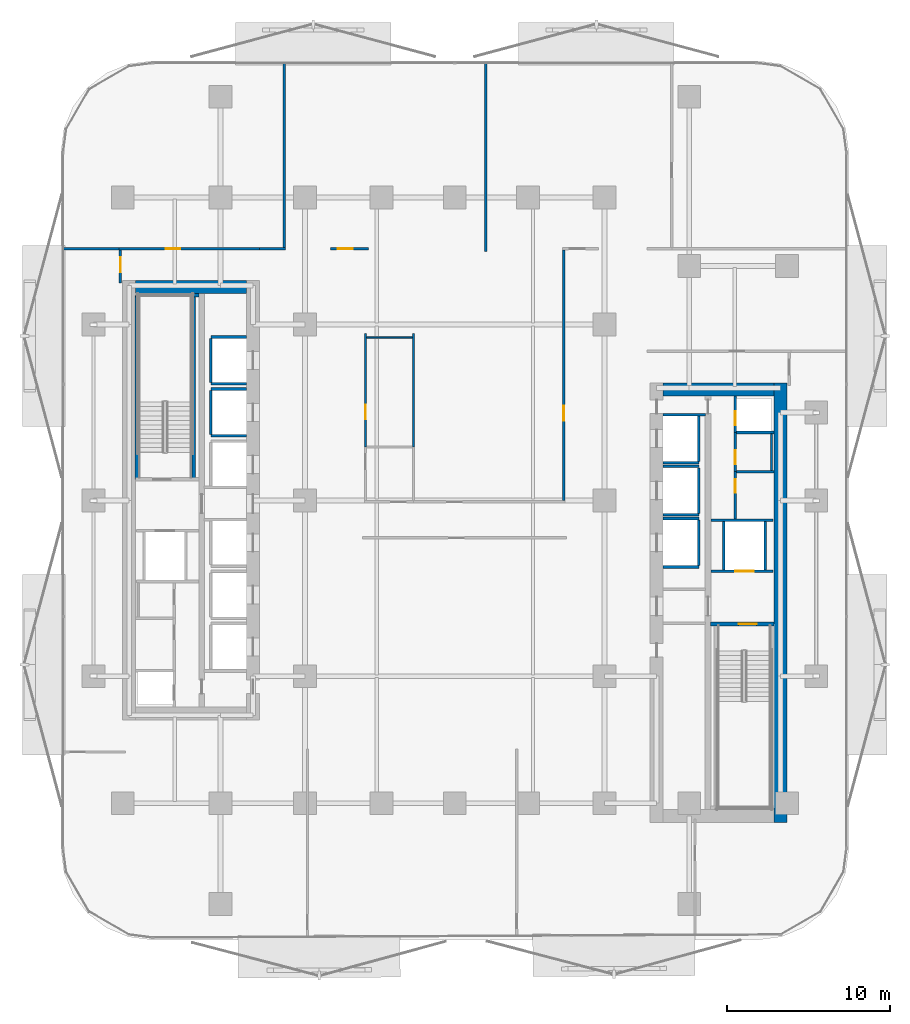
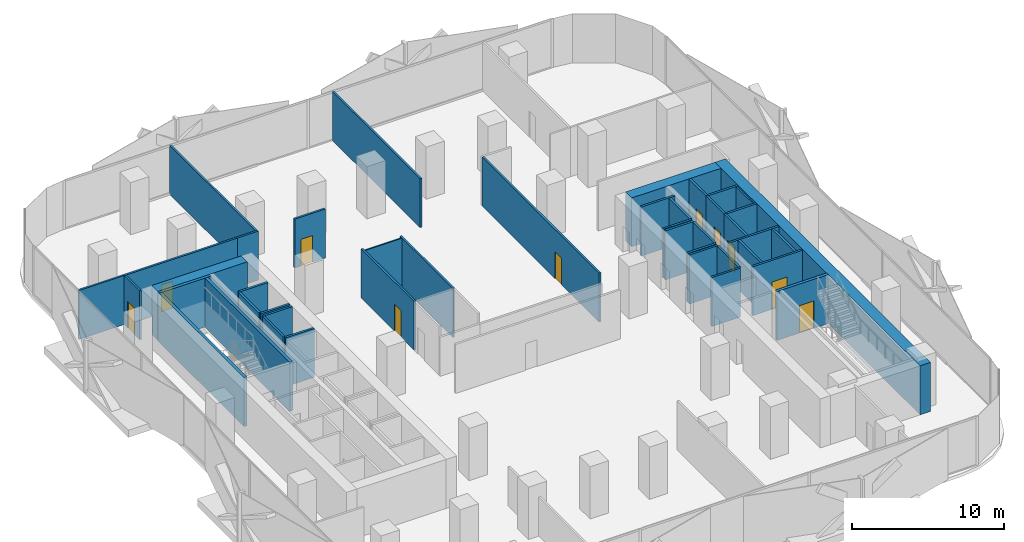
# One storey, part 5 of 16: 43 walls, 10 doors, 10 openings.
"""IFC4 building model written with IfcOpenShell, lengths in metres."""

from ifc_helpers import new_model, si_unit, direction, frame, frame_2d, origin, place, context, subcontext, project, spatial, rectangle, extrude, material, layer, layer_set, type_object, element, fill, save


model = new_model("IFC4")

# Units and contexts
model_context = context("Model", 3, precision=1e-05, world=origin(), true_north=direction((0.0, 1.0)))
body_context = subcontext(model_context, "Body", "Model", "MODEL_VIEW")
ifc_project = project(units=[si_unit("LENGTHUNIT", "METRE"), si_unit("AREAUNIT", "SQUARE_METRE"), si_unit("VOLUMEUNIT", "CUBIC_METRE"), si_unit("PLANEANGLEUNIT", "RADIAN"), si_unit("MASSUNIT", "GRAM", prefix="KILO")], contexts=[model_context])

# Site, building, storey
site_placement = place(None, origin())
site = spatial("IfcSite", under=ifc_project, at=site_placement, CompositionType="ELEMENT")
building_placement = place(site_placement, origin())
building = spatial("IfcBuilding", under=site, at=building_placement, Name="Khairoan Windgate Tower", CompositionType="ELEMENT")
storey_placement = place(building_placement, frame((0.0, 0.0, 55.39990234375)))
storey = spatial("IfcBuildingStorey", under=building, at=storey_placement, Name="L13", CompositionType="ELEMENT", Elevation=55.39990234375)

# Walls
ifc_material_1 = material(Name="Moisture-Resistant Gypsum Partition", Category="gypsum")
ifc_layer_1 = layer(ifc_material_1, 0.10009765625, Name="Moisture-Resistant Gypsum Partition")
ifc_layer_set_1 = layer_set([ifc_layer_1], Name="Moisture-Resistant Gypsum Partition")
wall_type_1 = type_object("IfcWallType", Name="Bathroom Wet-Area Partition Wall", PredefinedType="PARTITIONING", material=ifc_layer_set_1)
wall_1_placement = place(storey_placement, frame((19.449951171875, 4.090087890625, 0.0), z_axis=(0.0, 0.0, 1.0), x_axis=(0.0, -1.0, 0.0)))
element("IfcWall", 1, at=wall_1_placement, inside=storey, type_object=wall_type_1, Name="L13 Wet Room Side Wall 039", PredefinedType="PARTITIONING", context=body_context, shape_type="SweptSolid", body=[
    extrude(rectangle(XDim=2.239990234375, YDim=0.10009765625, at=frame_2d((1.1201171875, 0.0))), origin(), (0.0, 0.0, 1.0), 3.940185546875),
])
wall_2_placement = place(storey_placement, frame((-5.409912109375, 10.0, 0.0), z_axis=(0.0, 0.0, 1.0), x_axis=(1.0, 0.0, 0.0)))
element("IfcWall", 2, at=wall_2_placement, inside=storey, type_object=wall_type_1, Name="L13 Wet Room Side Wall 040", PredefinedType="PARTITIONING", context=body_context, shape_type="SweptSolid", body=[
    extrude(rectangle(XDim=2.7998046875, YDim=0.10009765625, at=frame_2d((1.39990234375, 0.0))), origin(), (0.0, 0.0, 1.0), 3.940185546875),
])
ifc_material_2 = material(Name="Concrete C40/50", Category="concrete")
ifc_layer_2 = layer(ifc_material_2, 0.159912109375, Name="Concrete C40/50")
ifc_layer_set_2 = layer_set([ifc_layer_2], Name="Concrete C40/50")
wall_type_2 = type_object("IfcWallType", Name="Core and Hoistway Enclosure Wall", PredefinedType="STANDARD", material=ifc_layer_set_2)
for number, where, z_axis, x_axis, name in (
    (3, (-14.989990234375, 7.159912109375, 0.0), (0.0, 0.0, 1.0), (1.0, 0.0, 0.0), "L13 Lift PL1 Hoistway Divider S"),
    (4, (-14.989990234375, 10.0400390625, 0.0), (0.0, 0.0, 1.0), (1.0, 0.0, 0.0), "L13 Lift PL1 Hoistway Divider N"),
):
    element("IfcWall", number, at=place(storey_placement, frame(where, z_axis=z_axis, x_axis=x_axis)), inside=storey, type_object=wall_type_2, Name=name, PredefinedType="STANDARD", context=body_context, shape_type="SweptSolid", body=[
        extrude(rectangle(XDim=2.18994140625, YDim=0.159912109375, at=frame_2d((1.094970703125, 0.0))), origin(), (0.0, 0.0, 1.0), 3.940185546875),
    ])
wall_3_placement = place(storey_placement, frame((-14.989990234375, 7.25, 0.0), z_axis=(0.0, 0.0, 1.0), x_axis=(0.0, 1.0, 0.0)))
element("IfcWall", 5, at=wall_3_placement, inside=storey, type_object=wall_type_2, Name="L13 Lift PL1 Hoistway Back Wall", PredefinedType="STANDARD", context=body_context, shape_type="SweptSolid", body=[
    extrude(rectangle(XDim=2.699951171875, YDim=0.159912109375, at=frame_2d((1.35009765625, 0.0))), origin(), (0.0, 0.0, 1.0), 3.940185546875),
])
for number, where, z_axis, x_axis, name in (
    (6, (-14.989990234375, 3.9599609375, 0.0), (0.0, 0.0, 1.0), (1.0, 0.0, 0.0), "L13 Lift PL2 Hoistway Divider S"),
    (7, (-14.989990234375, 6.840087890625, 0.0), (0.0, 0.0, 1.0), (1.0, 0.0, 0.0), "L13 Lift PL2 Hoistway Divider N"),
):
    element("IfcWall", number, at=place(storey_placement, frame(where, z_axis=z_axis, x_axis=x_axis)), inside=storey, type_object=wall_type_2, Name=name, PredefinedType="STANDARD", context=body_context, shape_type="SweptSolid", body=[
        extrude(rectangle(XDim=2.18994140625, YDim=0.159912109375, at=frame_2d((1.094970703125, 0.0))), origin(), (0.0, 0.0, 1.0), 3.940185546875),
    ])
wall_4_placement = place(storey_placement, frame((-14.989990234375, 4.050048828125, 0.0), z_axis=(0.0, 0.0, 1.0), x_axis=(0.0, 1.0, 0.0)))
element("IfcWall", 8, at=wall_4_placement, inside=storey, type_object=wall_type_2, Name="L13 Lift PL2 Hoistway Back Wall", PredefinedType="STANDARD", context=body_context, shape_type="SweptSolid", body=[
    extrude(rectangle(XDim=2.699951171875, YDim=0.159912109375, at=frame_2d((1.35009765625, 0.0))), origin(), (0.0, 0.0, 1.0), 3.940185546875),
])
wall_5_placement = place(storey_placement, frame((12.800048828125, 2.31005859375, 0.0), z_axis=(0.0, 0.0, 1.0), x_axis=(1.0, 0.0, 0.0)))
element("IfcWall", 9, at=wall_5_placement, inside=storey, type_object=wall_type_2, Name="L13 Lift PL7 Hoistway Divider S", PredefinedType="STANDARD", context=body_context, shape_type="SweptSolid", body=[
    extrude(rectangle(XDim=2.18994140625, YDim=0.159912109375, at=frame_2d((1.094970703125, 0.0))), origin(), (0.0, 0.0, 1.0), 3.940185546875),
])
wall_6_placement = place(storey_placement, frame((14.989990234375, 2.39990234375, 0.0), z_axis=(0.0, 0.0, 1.0), x_axis=(0.0, 1.0, 0.0)))
element("IfcWall", 10, at=wall_6_placement, inside=storey, type_object=wall_type_2, Name="L13 Lift PL7 Hoistway Back Wall", PredefinedType="STANDARD", context=body_context, shape_type="SweptSolid", body=[
    extrude(rectangle(XDim=2.800048828125, YDim=0.159912109375, at=frame_2d((1.39990234375, 0.0))), origin(), (0.0, 0.0, 1.0), 3.940185546875),
])
for number, where, z_axis, x_axis, name in (
    (11, (12.800048828125, -0.889892578125, 0.0), (0.0, 0.0, 1.0), (1.0, 0.0, 0.0), "L13 Lift PL8 Hoistway Divider S"),
    (12, (12.800048828125, 2.090087890625, 0.0), (0.0, 0.0, 1.0), (1.0, 0.0, 0.0), "L13 Lift PL8 Hoistway Divider N"),
):
    element("IfcWall", number, at=place(storey_placement, frame(where, z_axis=z_axis, x_axis=x_axis)), inside=storey, type_object=wall_type_2, Name=name, PredefinedType="STANDARD", context=body_context, shape_type="SweptSolid", body=[
        extrude(rectangle(XDim=2.18994140625, YDim=0.159912109375, at=frame_2d((1.094970703125, 0.0))), origin(), (0.0, 0.0, 1.0), 3.940185546875),
    ])
wall_7_placement = place(storey_placement, frame((14.989990234375, -0.800048828125, 0.0), z_axis=(0.0, 0.0, 1.0), x_axis=(0.0, 1.0, 0.0)))
element("IfcWall", 13, at=wall_7_placement, inside=storey, type_object=wall_type_2, Name="L13 Lift PL8 Hoistway Back Wall", PredefinedType="STANDARD", context=body_context, shape_type="SweptSolid", body=[
    extrude(rectangle(XDim=2.800048828125, YDim=0.159912109375, at=frame_2d((1.39990234375, 0.0))), origin(), (0.0, 0.0, 1.0), 3.940185546875),
])
for number, where, z_axis, x_axis, name in (
    (14, (12.800048828125, -4.090087890625, 0.0), (0.0, 0.0, 1.0), (1.0, 0.0, 0.0), "L13 Lift PL9 Hoistway Divider S"),
    (15, (12.800048828125, -1.110107421875, 0.0), (0.0, 0.0, 1.0), (1.0, 0.0, 0.0), "L13 Lift PL9 Hoistway Divider N"),
):
    element("IfcWall", number, at=place(storey_placement, frame(where, z_axis=z_axis, x_axis=x_axis)), inside=storey, type_object=wall_type_2, Name=name, PredefinedType="STANDARD", context=body_context, shape_type="SweptSolid", body=[
        extrude(rectangle(XDim=2.18994140625, YDim=0.159912109375, at=frame_2d((1.094970703125, 0.0))), origin(), (0.0, 0.0, 1.0), 3.940185546875),
    ])
wall_8_placement = place(storey_placement, frame((14.989990234375, -4.0, 0.0), z_axis=(0.0, 0.0, 1.0), x_axis=(0.0, 1.0, 0.0)))
element("IfcWall", 16, at=wall_8_placement, inside=storey, type_object=wall_type_2, Name="L13 Lift PL9 Hoistway Back Wall", PredefinedType="STANDARD", context=body_context, shape_type="SweptSolid", body=[
    extrude(rectangle(XDim=2.800048828125, YDim=0.159912109375, at=frame_2d((1.39990234375, 0.0))), origin(), (0.0, 0.0, 1.0), 3.940185546875),
])

# Wall, opening, door
wall_9_placement = place(storey_placement, frame((15.75, -4.360107421875, 0.0), z_axis=(0.0, 0.0, 1.0), x_axis=(1.0, 0.0, 0.0)))
wall_9 = element("IfcWall", 17, at=wall_9_placement, inside=storey, type_object=wall_type_2, Name="L13 Core Shaft Wall SW-FL1-L13", PredefinedType="STANDARD", context=body_context, shape_type="SweptSolid", body=[
    extrude(rectangle(XDim=3.800048828125, YDim=0.159912109375, at=frame_2d((1.89990234375, 0.0))), origin(), (0.0, 0.0, 1.0), 3.940185546875),
])
opening_1_placement = place(wall_9_placement, frame((1.469970703125, 0.0, 0.0)))
opening_1 = element("IfcOpeningElement", 18, at=opening_1_placement, cuts=wall_9, Name="Opening LD-FL", PredefinedType="OPENING", context=body_context, shape_type="SweptSolid", body=[
    extrude(rectangle(XDim=1.14990234375, YDim=2.199951171875, at=frame_2d((0.574951171875, 1.10009765625))), frame((0.0, 0.08984375, 0.0), z_axis=(0.0, -1.0, 0.0), x_axis=(1.0, 0.0, 0.0)), (0.0, 0.0, 1.0), 0.179931640625),
])
ifc_material_3 = material(Name="Steel S355", Category="steel")
door_type_1 = type_object("IfcDoorType", Name="Firefighting Lift Sliding Landing Door LD-FL 1150x2200", OperationType="DOUBLE_DOOR_SLIDING", PredefinedType="DOOR", material=ifc_material_3)
door_1_placement = place(opening_1_placement, origin())
door_1 = element("IfcDoor", 19, at=door_1_placement, inside=storey, type_object=door_type_1, Name="L13 Firefighting Lift FL1 Landing Door", OperationType="DOUBLE_DOOR_SLIDING", OverallHeight=2.199951171875, OverallWidth=1.14990234375, PredefinedType="DOOR", context=body_context, shape_type="SweptSolid", body=[
    extrude(rectangle(XDim=1.14990234375, YDim=2.199951171875, at=frame_2d((0.574951171875, 1.10009765625))), frame((0.0, 0.02490234375, 0.0), z_axis=(0.0, -1.0, 0.0), x_axis=(1.0, 0.0, 0.0)), (0.0, 0.0, 1.0), 0.050048828125),
])
fill(opening_1, door_1)

# Walls
wall_10_placement = place(storey_placement, frame((15.75, -1.219970703125, 0.0), z_axis=(0.0, 0.0, 1.0), x_axis=(1.0, 0.0, 0.0)))
element("IfcWall", 20, at=wall_10_placement, inside=storey, type_object=wall_type_2, Name="L13 Core Shaft Wall SW-FL1T-L13", PredefinedType="STANDARD", context=body_context, shape_type="SweptSolid", body=[
    extrude(rectangle(XDim=3.800048828125, YDim=0.159912109375, at=frame_2d((1.89990234375, 0.0))), origin(), (0.0, 0.0, 1.0), 3.940185546875),
])
for number, where, z_axis, x_axis, name in (
    (21, (16.52001953125, -4.280029296875, 0.0), (0.0, 0.0, 1.0), (0.0, 1.0, 0.0), "L13 Core Shaft Wall SW-FL1W-L13"),
    (22, (19.080078125, -4.280029296875, 0.0), (0.0, 0.0, 1.0), (0.0, 1.0, 0.0), "L13 Core Shaft Wall SW-FL1E-L13"),
):
    element("IfcWall", number, at=place(storey_placement, frame(where, z_axis=z_axis, x_axis=x_axis)), inside=storey, type_object=wall_type_2, Name=name, PredefinedType="STANDARD", context=body_context, shape_type="SweptSolid", body=[
        extrude(rectangle(XDim=2.97998046875, YDim=0.159912109375, at=frame_2d((1.489990234375, 0.0))), origin(), (0.0, 0.0, 1.0), 3.940185546875),
    ])
wall_11_placement = place(storey_placement, frame((12.800048828125, 5.25, 0.0), z_axis=(0.0, 0.0, 1.0), x_axis=(1.0, 0.0, 0.0)))
element("IfcWall", 23, at=wall_11_placement, inside=storey, type_object=wall_type_2, Name="L13 Core Shaft Wall SW-ESV-L13", PredefinedType="STANDARD", context=body_context, shape_type="SweptSolid", body=[
    extrude(rectangle(XDim=2.599853515625, YDim=0.159912109375, at=frame_2d((1.2998046875, 0.0))), origin(), (0.0, 0.0, 1.0), 3.940185546875),
])
ifc_material_4 = material(Name="Acoustic Fire-Rated Gypsum Partition", Category="gypsum")
ifc_layer_3 = layer(ifc_material_4, 0.139892578125, Name="Acoustic Fire-Rated Gypsum Partition")
ifc_layer_set_3 = layer_set([ifc_layer_3], Name="Acoustic Fire-Rated Gypsum Partition")
wall_type_3 = type_object("IfcWallType", Name="Inter-Tenancy Compartment Wall", PredefinedType="PARTITIONING", material=ifc_layer_set_3)
wall_12_placement = place(storey_placement, frame((-24.054931640625, 15.4599609375, 0.0), z_axis=(0.0, 0.0, 1.0), x_axis=(1.0, 0.0, 0.0)))
element("IfcWall", 24, at=wall_12_placement, inside=storey, type_object=wall_type_3, Name="L13 Interior Partition 024", PredefinedType="PARTITIONING", context=body_context, shape_type="SweptSolid", body=[
    extrude(rectangle(XDim=3.4150390625, YDim=0.139892578125, at=frame_2d((1.70751953125, 0.0))), origin(), (0.0, 0.0, 1.0), 3.940185546875),
])
wall_13_placement = place(storey_placement, frame((-10.471923828125, 15.534912109375, 0.0), z_axis=(0.0, 0.0, 1.0), x_axis=(0.0, 1.0, 0.0)))
element("IfcWall", 25, at=wall_13_placement, inside=storey, type_object=wall_type_3, Name="L13 Interior Partition 029", PredefinedType="PARTITIONING", context=body_context, shape_type="SweptSolid", body=[
    extrude(rectangle(XDim=11.320068359375, YDim=0.139892578125, at=frame_2d((5.66015625, 0.0))), origin(), (0.0, 0.0, 1.0), 3.940185546875),
])
wall_14_placement = place(storey_placement, frame((1.904052734375, 15.280029296875, 0.0), z_axis=(0.0, 0.0, 1.0), x_axis=(0.0, 1.0, 0.0)))
element("IfcWall", 26, at=wall_14_placement, inside=storey, type_object=wall_type_3, Name="L13 Interior Partition 030", PredefinedType="PARTITIONING", context=body_context, shape_type="SweptSolid", body=[
    extrude(rectangle(XDim=11.574951171875, YDim=0.139892578125, at=frame_2d((5.78759765625, 0.0))), origin(), (0.0, 0.0, 1.0), 3.940185546875),
])
wall_15_placement = place(storey_placement, frame((-2.5400390625, 3.280029296875, 0.0), z_axis=(0.0, 0.0, 1.0), x_axis=(0.0, 1.0, 0.0)))
element("IfcWall", 27, at=wall_15_placement, inside=storey, type_object=wall_type_3, Name="L13 Interior Partition 037", PredefinedType="PARTITIONING", context=body_context, shape_type="SweptSolid", body=[
    extrude(rectangle(XDim=6.9599609375, YDim=0.139892578125, at=frame_2d((3.47998046875, 0.0))), origin(), (0.0, 0.0, 1.0), 3.940185546875),
])

# Wall, opening, door
ifc_material_5 = material(Name="Concrete C40/50", Category="concrete")
ifc_layer_4 = layer(ifc_material_5, 0.159912109375, Name="Concrete C40/50")
ifc_layer_set_4 = layer_set([ifc_layer_4], Name="Concrete C40/50")
wall_type_4 = type_object("IfcWallType", Name="Plant and Refuge Compartment Wall", PredefinedType="PARTITIONING", material=ifc_layer_set_4)
wall_16_placement = place(storey_placement, frame((17.22998046875, 4.169921875, 0.0), z_axis=(0.0, 0.0, 1.0), x_axis=(0.0, 1.0, 0.0)))
wall_16 = element("IfcWall", 28, at=wall_16_placement, inside=storey, type_object=wall_type_4, Name="L13 Interior Partition 006", PredefinedType="PARTITIONING", context=body_context, shape_type="SweptSolid", body=[
    extrude(rectangle(XDim=2.22998046875, YDim=0.159912109375, at=frame_2d((1.114990234375, 0.0))), origin(), (0.0, 0.0, 1.0), 3.940185546875),
])
opening_2_placement = place(wall_16_placement, frame((0.4599609375, 0.0, 0.0)))
opening_2 = element("IfcOpeningElement", 29, at=opening_2_placement, cuts=wall_16, Name="Opening FD-SRV", PredefinedType="OPENING", context=body_context, shape_type="SweptSolid", body=[
    extrude(rectangle(XDim=0.85009765625, YDim=2.10009765625, at=frame_2d((0.425048828125, 1.050048828125))), frame((0.0, 0.08984375, 0.0), z_axis=(0.0, -1.0, 0.0), x_axis=(1.0, 0.0, 0.0)), (0.0, 0.0, 1.0), 0.179931640625),
])
ifc_material_6 = material(Name="Steel S355", Category="steel")
door_type_2 = type_object("IfcDoorType", Name="Core Service and Riser Fire Door FD-SRV 850x2100", OperationType="NOTDEFINED", PredefinedType="DOOR", material=ifc_material_6)
door_2_placement = place(opening_2_placement, origin())
door_2 = element("IfcDoor", 30, at=door_2_placement, inside=storey, type_object=door_type_2, Name="L13 L13-19-L13-20 Door", OperationType="SINGLE_SWING_LEFT", OverallHeight=2.10009765625, OverallWidth=0.85009765625, PredefinedType="DOOR", context=body_context, shape_type="SweptSolid", body=[
    extrude(rectangle(XDim=0.85009765625, YDim=2.10009765625, at=frame_2d((0.425048828125, 1.050048828125))), frame((0.0, 0.02490234375, 0.0), z_axis=(0.0, -1.0, 0.0), x_axis=(1.0, 0.0, 0.0)), (0.0, 0.0, 1.0), 0.050048828125),
])
fill(opening_2, door_2)

wall_17_placement = place(storey_placement, frame((17.22998046875, 1.77001953125, 0.0), z_axis=(0.0, 0.0, 1.0), x_axis=(0.0, 1.0, 0.0)))
wall_17 = element("IfcWall", 31, at=wall_17_placement, inside=storey, type_object=wall_type_4, Name="L13 Interior Partition 007", PredefinedType="PARTITIONING", context=body_context, shape_type="SweptSolid", body=[
    extrude(rectangle(XDim=2.39990234375, YDim=0.159912109375, at=frame_2d((1.199951171875, 0.0))), origin(), (0.0, 0.0, 1.0), 3.940185546875),
])
opening_3_placement = place(wall_17_placement, frame((0.4599609375, 0.0, 0.0)))
opening_3 = element("IfcOpeningElement", 32, at=opening_3_placement, cuts=wall_17, Name="Opening FD-SRV", PredefinedType="OPENING", context=body_context, shape_type="SweptSolid", body=[
    extrude(rectangle(XDim=0.85009765625, YDim=2.10009765625, at=frame_2d((0.425048828125, 1.050048828125))), frame((0.0, 0.08984375, 0.0), z_axis=(0.0, -1.0, 0.0), x_axis=(1.0, 0.0, 0.0)), (0.0, 0.0, 1.0), 0.179931640625),
])
door_3_placement = place(opening_3_placement, origin())
door_3 = element("IfcDoor", 33, at=door_3_placement, inside=storey, type_object=door_type_2, Name="L13 L13-19-L13-21 Door", OperationType="SINGLE_SWING_RIGHT", OverallHeight=2.10009765625, OverallWidth=0.85009765625, PredefinedType="DOOR", context=body_context, shape_type="SweptSolid", body=[
    extrude(rectangle(XDim=0.85009765625, YDim=2.10009765625, at=frame_2d((0.425048828125, 1.050048828125))), frame((0.0, 0.02490234375, 0.0), z_axis=(0.0, -1.0, 0.0), x_axis=(1.0, 0.0, 0.0)), (0.0, 0.0, 1.0), 0.050048828125),
])
fill(opening_3, door_3)

wall_18_placement = place(storey_placement, frame((17.22998046875, -1.139892578125, 0.0), z_axis=(0.0, 0.0, 1.0), x_axis=(0.0, 1.0, 0.0)))
wall_18 = element("IfcWall", 34, at=wall_18_placement, inside=storey, type_object=wall_type_4, Name="L13 Interior Partition 008", PredefinedType="PARTITIONING", context=body_context, shape_type="SweptSolid", body=[
    extrude(rectangle(XDim=2.909912109375, YDim=0.159912109375, at=frame_2d((1.455078125, 0.0))), origin(), (0.0, 0.0, 1.0), 3.940185546875),
])
opening_4_placement = place(wall_18_placement, frame((1.60009765625, 0.0, 0.0)))
opening_4 = element("IfcOpeningElement", 35, at=opening_4_placement, cuts=wall_18, Name="Opening FD-SRV", PredefinedType="OPENING", context=body_context, shape_type="SweptSolid", body=[
    extrude(rectangle(XDim=0.85009765625, YDim=2.10009765625, at=frame_2d((0.425048828125, 1.050048828125))), frame((0.0, 0.08984375, 0.0), z_axis=(0.0, -1.0, 0.0), x_axis=(1.0, 0.0, 0.0)), (0.0, 0.0, 1.0), 0.179931640625),
])
door_4_placement = place(opening_4_placement, origin())
door_4 = element("IfcDoor", 36, at=door_4_placement, inside=storey, type_object=door_type_2, Name="L13 L13-19-L13-22 Door", OperationType="SINGLE_SWING_LEFT", OverallHeight=2.10009765625, OverallWidth=0.85009765625, PredefinedType="DOOR", context=body_context, shape_type="SweptSolid", body=[
    extrude(rectangle(XDim=0.85009765625, YDim=2.10009765625, at=frame_2d((0.425048828125, 1.050048828125))), frame((0.0, 0.02490234375, 0.0), z_axis=(0.0, -1.0, 0.0), x_axis=(1.0, 0.0, 0.0)), (0.0, 0.0, 1.0), 0.050048828125),
])
fill(opening_4, door_4)

# Walls
for number, where, z_axis, x_axis, name in (
    (37, (17.31005859375, 4.169921875, 0.0), (0.0, 0.0, 1.0), (1.0, 0.0, 0.0), "L13 Interior Partition 009"),
    (38, (17.31005859375, 1.77001953125, 0.0), (0.0, 0.0, 1.0), (1.0, 0.0, 0.0), "L13 Interior Partition 010"),
):
    element("IfcWall", number, at=place(storey_placement, frame(where, z_axis=z_axis, x_axis=x_axis)), inside=storey, type_object=wall_type_4, Name=name, PredefinedType="PARTITIONING", context=body_context, shape_type="SweptSolid", body=[
        extrude(rectangle(XDim=2.2900390625, YDim=0.159912109375, at=frame_2d((1.14501953125, 0.0))), origin(), (0.0, 0.0, 1.0), 3.940185546875),
    ])
ifc_material_7 = material(Name="Acoustic Fire-Rated Gypsum Partition", Category="gypsum")
ifc_layer_5 = layer(ifc_material_7, 0.14990234375, Name="Acoustic Fire-Rated Gypsum Partition")
ifc_layer_set_5 = layer_set([ifc_layer_5], Name="Acoustic Fire-Rated Gypsum Partition")
wall_type_5 = type_object("IfcWallType", Name="Rated Corridor Partition Wall", PredefinedType="PARTITIONING", material=ifc_layer_set_5)
wall_19_placement = place(storey_placement, frame((-11.989990234375, 15.4599609375, 0.0), z_axis=(0.0, 0.0, 1.0), x_axis=(1.0, 0.0, 0.0)))
element("IfcWall", 39, at=wall_19_placement, inside=storey, type_object=wall_type_5, Name="L13 Interior Partition 011", PredefinedType="PARTITIONING", context=body_context, shape_type="SweptSolid", body=[
    extrude(rectangle(XDim=1.587890625, YDim=0.14990234375, at=frame_2d((0.7939453125, 0.0))), origin(), (0.0, 0.0, 1.0), 3.940185546875),
])

# Wall, opening, door
wall_20_placement = place(storey_placement, frame((-7.639892578125, 15.4599609375, 0.0), z_axis=(0.0, 0.0, 1.0), x_axis=(1.0, 0.0, 0.0)))
wall_20 = element("IfcWall", 40, at=wall_20_placement, inside=storey, type_object=wall_type_5, Name="L13 Interior Partition 015", PredefinedType="PARTITIONING", context=body_context, shape_type="SweptSolid", body=[
    extrude(rectangle(XDim=2.329833984375, YDim=0.14990234375, at=frame_2d((1.1650390625, 0.0))), origin(), (0.0, 0.0, 1.0), 3.940185546875),
])
opening_5_placement = place(wall_20_placement, frame((0.4599609375, 0.0, 0.0)))
opening_5 = element("IfcOpeningElement", 41, at=opening_5_placement, cuts=wall_20, Name="Opening FD-ENT", PredefinedType="OPENING", context=body_context, shape_type="SweptSolid", body=[
    extrude(rectangle(XDim=0.89990234375, YDim=2.14990234375, at=frame_2d((0.449951171875, 1.074951171875))), frame((0.0, 0.0849609375, 0.0), z_axis=(0.0, -1.0, 0.0), x_axis=(1.0, 0.0, 0.0)), (0.0, 0.0, 1.0), 0.169921875),
])
ifc_material_8 = material(Name="Timber Fire-Rated Core", Category="wood")
door_type_3 = type_object("IfcDoorType", Name="Unit and Office Fire Entrance Door FD-ENT 900x2150", OperationType="NOTDEFINED", PredefinedType="DOOR", material=ifc_material_8)
door_5_placement = place(opening_5_placement, origin())
door_5 = element("IfcDoor", 42, at=door_5_placement, inside=storey, type_object=door_type_3, Name="L13 L13-32-L13-40 Door", OperationType="SINGLE_SWING_RIGHT", OverallHeight=2.14990234375, OverallWidth=0.89990234375, PredefinedType="DOOR", context=body_context, shape_type="SweptSolid", body=[
    extrude(rectangle(XDim=0.89990234375, YDim=2.14990234375, at=frame_2d((0.449951171875, 1.074951171875))), frame((0.0, 0.02490234375, 0.0), z_axis=(0.0, -1.0, 0.0), x_axis=(1.0, 0.0, 0.0)), (0.0, 0.0, 1.0), 0.050048828125),
])
fill(opening_5, door_5)

wall_21_placement = place(storey_placement, frame((-5.485107421875, 3.280029296875, 0.0), z_axis=(0.0, 0.0, 1.0), x_axis=(0.0, 1.0, 0.0)))
wall_21 = element("IfcWall", 43, at=wall_21_placement, inside=storey, type_object=wall_type_5, Name="L13 Interior Partition 017", PredefinedType="PARTITIONING", context=body_context, shape_type="SweptSolid", body=[
    extrude(rectangle(XDim=6.9599609375, YDim=0.14990234375, at=frame_2d((3.47998046875, 0.0))), origin(), (0.0, 0.0, 1.0), 3.940185546875),
])
opening_6_placement = place(wall_21_placement, frame((1.693603515625, 0.0, 0.0)))
opening_6 = element("IfcOpeningElement", 44, at=opening_6_placement, cuts=wall_21, Name="Opening FD-ENT", PredefinedType="OPENING", context=body_context, shape_type="SweptSolid", body=[
    extrude(rectangle(XDim=0.89990234375, YDim=2.14990234375, at=frame_2d((0.449951171875, 1.074951171875))), frame((0.0, 0.0849609375, 0.0), z_axis=(0.0, -1.0, 0.0), x_axis=(1.0, 0.0, 0.0)), (0.0, 0.0, 1.0), 0.169921875),
])
door_6_placement = place(opening_6_placement, origin())
door_6 = element("IfcDoor", 45, at=door_6_placement, inside=storey, type_object=door_type_3, Name="L13 L13-32-L13-48 Door", OperationType="SINGLE_SWING_RIGHT", OverallHeight=2.14990234375, OverallWidth=0.89990234375, PredefinedType="DOOR", context=body_context, shape_type="SweptSolid", body=[
    extrude(rectangle(XDim=0.89990234375, YDim=2.14990234375, at=frame_2d((0.449951171875, 1.074951171875))), frame((0.0, 0.02490234375, 0.0), z_axis=(0.0, -1.0, 0.0), x_axis=(1.0, 0.0, 0.0)), (0.0, 0.0, 1.0), 0.050048828125),
])
fill(opening_6, door_6)

wall_22_placement = place(storey_placement, frame((6.68505859375, -0.02001953125, 0.0), z_axis=(0.0, 0.0, 1.0), x_axis=(0.0, 1.0, 0.0)))
wall_22 = element("IfcWall", 46, at=wall_22_placement, inside=storey, type_object=wall_type_5, Name="L13 Interior Partition 019", PredefinedType="PARTITIONING", context=body_context, shape_type="SweptSolid", body=[
    extrude(rectangle(XDim=15.405029296875, YDim=0.14990234375, at=frame_2d((7.70263671875, 0.0))), origin(), (0.0, 0.0, 1.0), 3.940185546875),
])
opening_7_placement = place(wall_22_placement, frame((4.920654296875, 0.0, 0.0)))
opening_7 = element("IfcOpeningElement", 47, at=opening_7_placement, cuts=wall_22, Name="Opening FD-ENT", PredefinedType="OPENING", context=body_context, shape_type="SweptSolid", body=[
    extrude(rectangle(XDim=0.89990234375, YDim=2.14990234375, at=frame_2d((0.449951171875, 1.074951171875))), frame((0.0, 0.0849609375, 0.0), z_axis=(0.0, -1.0, 0.0), x_axis=(1.0, 0.0, 0.0)), (0.0, 0.0, 1.0), 0.169921875),
])
door_7_placement = place(opening_7_placement, origin())
door_7 = element("IfcDoor", 48, at=door_7_placement, inside=storey, type_object=door_type_3, Name="L13 L13-33-L13-49 Door", OperationType="SINGLE_SWING_RIGHT", OverallHeight=2.14990234375, OverallWidth=0.89990234375, PredefinedType="DOOR", context=body_context, shape_type="SweptSolid", body=[
    extrude(rectangle(XDim=0.89990234375, YDim=2.14990234375, at=frame_2d((0.449951171875, 1.074951171875))), frame((0.0, 0.02490234375, 0.0), z_axis=(0.0, -1.0, 0.0), x_axis=(1.0, 0.0, 0.0)), (0.0, 0.0, 1.0), 0.050048828125),
])
fill(opening_7, door_7)

wall_23_placement = place(storey_placement, frame((-20.5400390625, 13.360107421875, 0.0), z_axis=(0.0, 0.0, 1.0), x_axis=(0.0, 1.0, 0.0)))
wall_23 = element("IfcWall", 49, at=wall_23_placement, inside=storey, type_object=wall_type_5, Name="L13 Interior Partition 020", PredefinedType="PARTITIONING", context=body_context, shape_type="SweptSolid", body=[
    extrude(rectangle(XDim=2.02490234375, YDim=0.14990234375, at=frame_2d((1.012451171875, 0.0))), origin(), (0.0, 0.0, 1.0), 3.940185546875),
])
opening_8_placement = place(wall_23_placement, frame((0.6650390625, 0.0, 0.0)))
opening_8 = element("IfcOpeningElement", 50, at=opening_8_placement, cuts=wall_23, Name="Opening FD-ENT", PredefinedType="OPENING", context=body_context, shape_type="SweptSolid", body=[
    extrude(rectangle(XDim=0.89990234375, YDim=2.14990234375, at=frame_2d((0.449951171875, 1.074951171875))), frame((0.0, 0.0849609375, 0.0), z_axis=(0.0, -1.0, 0.0), x_axis=(1.0, 0.0, 0.0)), (0.0, 0.0, 1.0), 0.169921875),
])
door_8_placement = place(opening_8_placement, origin())
door_8 = element("IfcDoor", 51, at=door_8_placement, inside=storey, type_object=door_type_3, Name="L13 L13-34-L13-36 Door", OperationType="SINGLE_SWING_LEFT", OverallHeight=2.14990234375, OverallWidth=0.89990234375, PredefinedType="DOOR", context=body_context, shape_type="SweptSolid", body=[
    extrude(rectangle(XDim=0.89990234375, YDim=2.14990234375, at=frame_2d((0.449951171875, 1.074951171875))), frame((0.0, 0.02490234375, 0.0), z_axis=(0.0, -1.0, 0.0), x_axis=(1.0, 0.0, 0.0)), (0.0, 0.0, 1.0), 0.050048828125),
])
fill(opening_8, door_8)

wall_24_placement = place(storey_placement, frame((-20.639892578125, 15.4599609375, 0.0), z_axis=(0.0, 0.0, 1.0), x_axis=(1.0, 0.0, 0.0)))
wall_24 = element("IfcWall", 52, at=wall_24_placement, inside=storey, type_object=wall_type_5, Name="L13 Interior Partition 021", PredefinedType="PARTITIONING", context=body_context, shape_type="SweptSolid", body=[
    extrude(rectangle(XDim=8.64990234375, YDim=0.14990234375, at=frame_2d((4.324951171875, 0.0))), origin(), (0.0, 0.0, 1.0), 3.940185546875),
])
opening_9_placement = place(wall_24_placement, frame((2.87060546875, 0.0, 0.0)))
opening_9 = element("IfcOpeningElement", 53, at=opening_9_placement, cuts=wall_24, Name="Opening FD-ENT", PredefinedType="OPENING", context=body_context, shape_type="SweptSolid", body=[
    extrude(rectangle(XDim=0.89990234375, YDim=2.14990234375, at=frame_2d((0.449951171875, 1.074951171875))), frame((0.0, 0.0849609375, 0.0), z_axis=(0.0, -1.0, 0.0), x_axis=(1.0, 0.0, 0.0)), (0.0, 0.0, 1.0), 0.169921875),
])
door_9_placement = place(opening_9_placement, origin())
door_9 = element("IfcDoor", 54, at=door_9_placement, inside=storey, type_object=door_type_3, Name="L13 L13-34-L13-39 Door", OperationType="SINGLE_SWING_RIGHT", OverallHeight=2.14990234375, OverallWidth=0.89990234375, PredefinedType="DOOR", context=body_context, shape_type="SweptSolid", body=[
    extrude(rectangle(XDim=0.89990234375, YDim=2.14990234375, at=frame_2d((0.449951171875, 1.074951171875))), frame((0.0, 0.02490234375, 0.0), z_axis=(0.0, -1.0, 0.0), x_axis=(1.0, 0.0, 0.0)), (0.0, 0.0, 1.0), 0.050048828125),
])
fill(opening_9, door_9)

# Walls
ifc_material_9 = material(Name="Concrete C70/85", Category="concrete")
ifc_layer_6 = layer(ifc_material_9, 0.800048828125, Name="Concrete C70/85")
ifc_layer_set_6 = layer_set([ifc_layer_6], Name="Concrete C70/85")
wall_type_6 = type_object("IfcWallType", Name="Shear Wall CW-E1 800mm", PredefinedType="SHEAR", material=ifc_layer_set_6)
wall_25_placement = place(storey_placement, frame((20.0, -19.800048828125, 0.0), z_axis=(0.0, 0.0, 1.0), x_axis=(0.0, 1.0, 0.0)))
element("IfcWall", 55, at=wall_25_placement, inside=storey, type_object=wall_type_6, Name="E Core East Shear Wall L13", PredefinedType="SHEAR", context=body_context, shape_type="SweptSolid", body=[
    extrude(rectangle(XDim=27.0, YDim=0.800048828125, at=frame_2d((13.5, 0.0))), origin(), (0.0, 0.0, 1.0), 3.940185546875),
])
wall_26_placement = place(storey_placement, frame((12.800048828125, 6.800048828125, 0.0), z_axis=(0.0, 0.0, 1.0), x_axis=(1.0, 0.0, 0.0)))
element("IfcWall", 56, at=wall_26_placement, inside=storey, type_object=wall_type_6, Name="E Core North Shear Wall L13", PredefinedType="SHEAR", context=body_context, shape_type="SweptSolid", body=[
    extrude(rectangle(XDim=6.800048828125, YDim=0.800048828125, at=frame_2d((3.39990234375, 0.0))), origin(), (0.0, 0.0, 1.0), 3.940185546875),
])
ifc_material_10 = material(Name="Concrete C70/85", Category="concrete")
ifc_layer_7 = layer(ifc_material_10, 0.800048828125, Name="Concrete C70/85")
ifc_layer_set_7 = layer_set([ifc_layer_7], Name="Concrete C70/85")
wall_type_7 = type_object("IfcWallType", Name="Shear Wall CW-W1 800mm", PredefinedType="SHEAR", material=ifc_layer_set_7)
wall_27_placement = place(storey_placement, frame((-19.60009765625, 13.10009765625, 0.0), z_axis=(0.0, 0.0, 1.0), x_axis=(1.0, 0.0, 0.0)))
element("IfcWall", 57, at=wall_27_placement, inside=storey, type_object=wall_type_7, Name="W Core North Shear Wall L13", PredefinedType="SHEAR", context=body_context, shape_type="SweptSolid", body=[
    extrude(rectangle(XDim=6.800048828125, YDim=0.800048828125, at=frame_2d((3.39990234375, 0.0))), origin(), (0.0, 0.0, 1.0), 3.940185546875),
])

# Wall, opening, door
ifc_material_11 = material(Name="Concrete C50/60", Category="concrete")
ifc_layer_8 = layer(ifc_material_11, 0.219970703125, Name="Concrete C50/60")
ifc_layer_set_8 = layer_set([ifc_layer_8], Name="Concrete C50/60")
wall_type_8 = type_object("IfcWallType", Name="Shear Wall SW-ST 220mm", PredefinedType="SHEAR", material=ifc_layer_set_8)
wall_28_placement = place(storey_placement, frame((19.6201171875, -7.590087890625, 0.0), z_axis=(0.0, 0.0, 1.0), x_axis=(-1.0, 0.0, 0.0)))
wall_28 = element("IfcWall", 58, at=wall_28_placement, inside=storey, type_object=wall_type_8, Name="L13 Stair ST1 North Bearing Wall", PredefinedType="SHEAR", context=body_context, shape_type="SweptSolid", body=[
    extrude(rectangle(XDim=3.9150390625, YDim=0.219970703125, at=frame_2d((1.95751953125, 0.0))), origin(), (0.0, 0.0, 1.0), 3.940185546875),
])
opening_10_placement = place(wall_28_placement, frame((1.080078125, 0.0, 0.0)))
opening_10 = element("IfcOpeningElement", 59, at=opening_10_placement, cuts=wall_28, Name="Opening FD-ST", PredefinedType="OPENING", context=body_context, shape_type="SweptSolid", body=[
    extrude(rectangle(XDim=1.10009765625, YDim=2.199951171875, at=frame_2d((0.550048828125, 1.10009765625))), frame((0.0, 0.119873046875, 0.0), z_axis=(0.0, -1.0, 0.0), x_axis=(1.0, 0.0, 0.0)), (0.0, 0.0, 1.0), 0.239990234375),
])
ifc_material_12 = material(Name="Steel S355", Category="steel")
door_type_4 = type_object("IfcDoorType", Name="Smokeproof Stair Fire Door FD-ST 1100x2200", OperationType="NOTDEFINED", PredefinedType="DOOR", material=ifc_material_12)
door_10_placement = place(opening_10_placement, origin())
door_10 = element("IfcDoor", 60, at=door_10_placement, inside=storey, type_object=door_type_4, Name="L13 Stair ST1 Fire Door", OperationType="SINGLE_SWING_LEFT", OverallHeight=2.199951171875, OverallWidth=1.10009765625, PredefinedType="DOOR", context=body_context, shape_type="SweptSolid", body=[
    extrude(rectangle(XDim=1.10009765625, YDim=2.199951171875, at=frame_2d((0.550048828125, 1.10009765625))), frame((0.0, 0.02490234375, 0.0), z_axis=(0.0, -1.0, 0.0), x_axis=(1.0, 0.0, 0.0)), (0.0, 0.0, 1.0), 0.050048828125),
])
fill(opening_10, door_10)

# Walls
for number, where, z_axis, x_axis, name in (
    (61, (-16.0400390625, 1.2900390625, 0.0), (0.0, 0.0, 1.0), (0.0, 1.0, 0.0), "L13 Stair ST2 East Bearing Wall"),
    (62, (-19.530029296875, 1.2900390625, 0.0), (0.0, 0.0, 1.0), (0.0, 1.0, 0.0), "L13 Stair ST2 West Bearing Wall"),
):
    element("IfcWall", number, at=place(storey_placement, frame(where, z_axis=z_axis, x_axis=x_axis)), inside=storey, type_object=wall_type_8, Name=name, PredefinedType="SHEAR", context=body_context, shape_type="SweptSolid", body=[
        extrude(rectangle(XDim=11.300048828125, YDim=0.219970703125, at=frame_2d((5.64990234375, 0.0))), origin(), (0.0, 0.0, 1.0), 3.940185546875),
    ])
wall_29_placement = place(storey_placement, frame((-19.6201171875, 12.590087890625, 0.0), z_axis=(0.0, 0.0, 1.0), x_axis=(1.0, 0.0, 0.0)))
element("IfcWall", 63, at=wall_29_placement, inside=storey, type_object=wall_type_8, Name="L13 Stair ST2 North Bearing Wall", PredefinedType="SHEAR", context=body_context, shape_type="SweptSolid", body=[
    extrude(rectangle(XDim=3.9150390625, YDim=0.219970703125, at=frame_2d((1.95751953125, 0.0))), origin(), (0.0, 0.0, 1.0), 3.940185546875),
])

save(model, "model.ifc")
